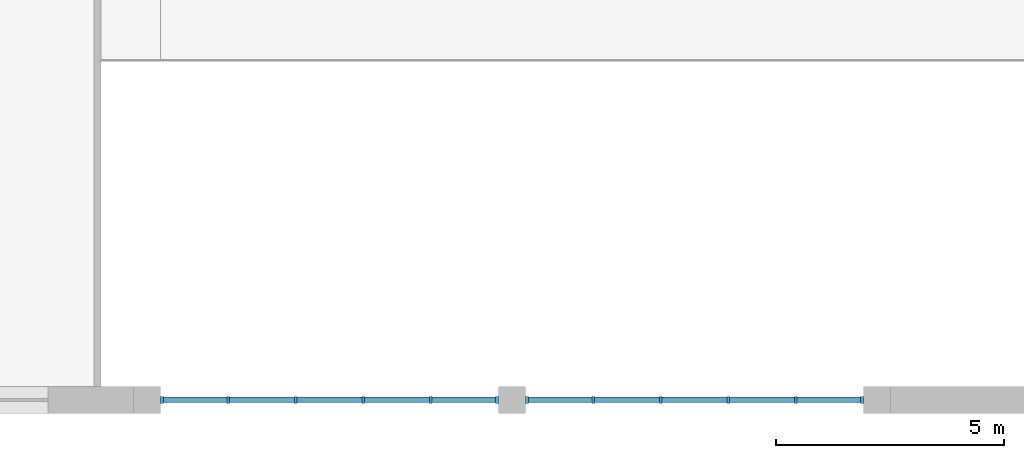
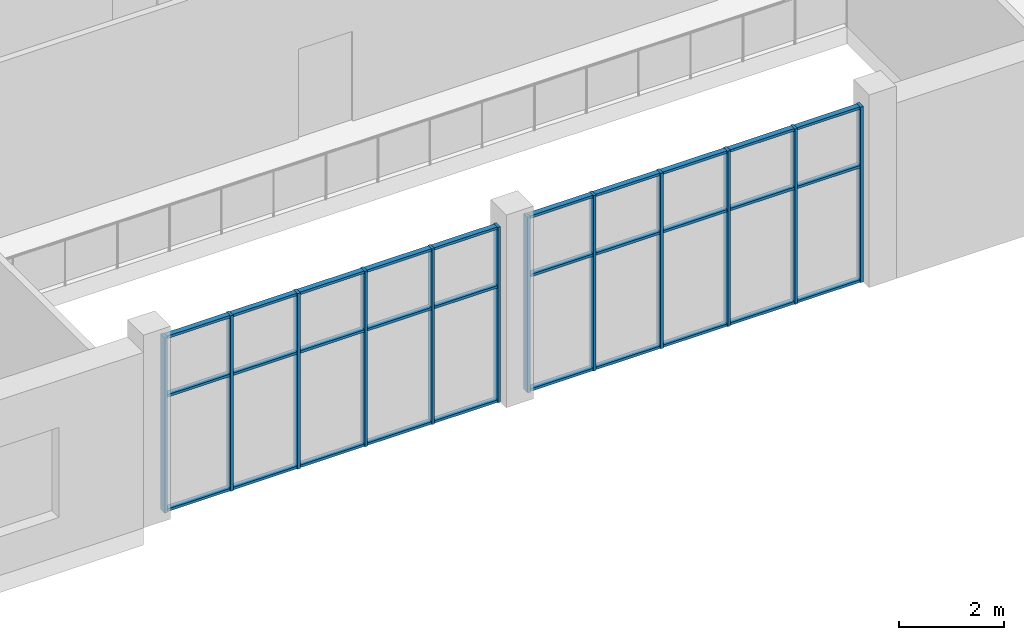
# One storey, part 2 of 27: 42 members, 2 elements without a shape of their own.
"""IFC4 building model written with IfcOpenShell, lengths in metres."""

import ifcopenshell
import ifcopenshell.guid

model = None  # the IFC model being written
_history = None  # IfcOwnerHistory: only IFC2X3 demands one
_inside = {}  # id of a spatial element -> (the spatial element, [elements in it])
_under = {}  # id of a project, library or spatial element -> (it, [spatial elements below it])
_declared = {}  # id of a project -> (the project, [libraries it declares])
_typed = {}  # id of a type object -> (the type object, [elements of that type])
_made_of = {}  # id of a material, layer set ... -> (it, [elements and type objects made of it])


def new_model(schema):
    """Start an empty IFC model of exactly this schema.

    Asked for "IFC4X3", IfcOpenShell would pick the latest addendum, in which some entities
    have other attributes; the version numbers below select the first issue.
    IFC2X3 requires an IfcOwnerHistory on every rooted entity: one is made here for all.
    """
    global model, _history
    if schema == "IFC4X3":
        model = ifcopenshell.file(schema_version=(4, 3, 0, 0))
    else:
        model = ifcopenshell.file(schema=schema)
    _inside.clear()
    _under.clear()
    _declared.clear()
    _typed.clear()
    _made_of.clear()
    _history = None
    if model.schema == "IFC2X3":
        org = make("IfcOrganization", Name="unknown")
        user = make(
            "IfcPersonAndOrganization",
            ThePerson=make("IfcPerson", FamilyName="unknown"),
            TheOrganization=org,
        )
        app = make(
            "IfcApplication",
            ApplicationDeveloper=org,
            Version="unknown",
            ApplicationFullName="unknown",
            ApplicationIdentifier="unknown",
        )
        _history = make(
            "IfcOwnerHistory",
            OwningUser=user,
            OwningApplication=app,
            ChangeAction="ADDED",
            CreationDate=0,
        )
    return model


def make(cls, **values):
    """One entity of the class cls with the attributes given. An attribute that is None is left unset."""
    return model.create_entity(
        cls, **{name: value for name, value in values.items() if value is not None}
    )


def rooted(cls, **values):
    """An entity with a GlobalId (a new one), such as an element, a storey or a relation."""
    return make(cls, GlobalId=ifcopenshell.guid.new(), OwnerHistory=_history, **values)


def si_unit(unit_type, name, prefix=None):
    """IfcSIUnit, for example si_unit("LENGTHUNIT", "METRE", prefix="MILLI")."""
    return make("IfcSIUnit", UnitType=unit_type, Prefix=prefix, Name=name)


def assignment(units):
    """IfcUnitAssignment: the units of a project."""
    return None if units is None else make("IfcUnitAssignment", Units=units)


def point(xyz):
    """IfcCartesianPoint."""
    return None if xyz is None else make("IfcCartesianPoint", Coordinates=xyz)


def direction(xyz):
    """IfcDirection."""
    return None if xyz is None else make("IfcDirection", DirectionRatios=xyz)


def frame(location, z_axis=None, x_axis=None):
    """IfcAxis2Placement3D, a coordinate frame: its origin and axes. An axis left out is left unset."""
    return make(
        "IfcAxis2Placement3D",
        Location=point(location),
        Axis=direction(z_axis),
        RefDirection=direction(x_axis),
    )


def frame_2d(location, x_axis=None):
    """IfcAxis2Placement2D, a coordinate frame in the plane: its origin and x axis."""
    return make(
        "IfcAxis2Placement2D", Location=point(location), RefDirection=direction(x_axis)
    )


def origin():
    """The frame at (0, 0, 0) with its axes left unset."""
    return frame((0.0, 0.0, 0.0))


def origin_2d():
    """The frame at (0, 0) in the plane with its x axis left unset."""
    return frame_2d((0.0, 0.0))


def place(relative_to, where):
    """IfcLocalPlacement: puts the frame where relative to a parent placement (None: the world)."""
    return make(
        "IfcLocalPlacement", PlacementRelTo=relative_to, RelativePlacement=where
    )


def context(
    kind, dimensions, precision=None, world=None, true_north=None, identifier=None
):
    """IfcGeometricRepresentationContext, for example the 3D "Model" context."""
    return make(
        "IfcGeometricRepresentationContext",
        ContextIdentifier=identifier,
        ContextType=kind,
        CoordinateSpaceDimension=dimensions,
        Precision=precision,
        WorldCoordinateSystem=world,
        TrueNorth=true_north,
    )


def subcontext(parent, identifier, kind, view, scale=None):
    """IfcGeometricRepresentationSubContext, for example "Body" below "Model"."""
    return make(
        "IfcGeometricRepresentationSubContext",
        ContextIdentifier=identifier,
        ContextType=kind,
        ParentContext=parent,
        TargetScale=scale,
        TargetView=view,
    )


def project(units=None, contexts=None):
    """IfcProject with its units and contexts."""
    return rooted(
        "IfcProject",
        Name="project",
        RepresentationContexts=contexts,
        UnitsInContext=assignment(units),
    )


def spatial(cls, under=None, at=None, **own):
    """A site, building, storey or space (cls), placed at a placement, below another one or the project."""
    s = rooted(cls, ObjectPlacement=at, **own)
    if under is not None:
        _under.setdefault(under.id(), (under, []))[1].append(s)
    return s


def profile(cls, at=None, kind="AREA", **sizes):
    """A parametric profile (cls). Its sizes go by their IFC names, for example OverallWidth=200.0."""
    return make(cls, ProfileType=kind, Position=at, **sizes)


def rectangle(**sizes):
    """IfcRectangleProfileDef."""
    return profile("IfcRectangleProfileDef", **sizes)


def extrude(swept, where, along, depth):
    """IfcExtrudedAreaSolid: the profile swept, set in the frame where, extruded along a direction by depth."""
    return make(
        "IfcExtrudedAreaSolid",
        SweptArea=swept,
        Position=where,
        ExtrudedDirection=direction(along),
        Depth=depth,
    )


def shape(context_of_items, identifier, shape_type, items):
    """IfcShapeRepresentation: the items that make up one representation, for example the "Body"."""
    return make(
        "IfcShapeRepresentation",
        ContextOfItems=context_of_items,
        RepresentationIdentifier=identifier,
        RepresentationType=shape_type,
        Items=items,
    )


def material(Name=None, Category=None):
    """IfcMaterial."""
    return make("IfcMaterial", Name=Name, Category=Category)


def material_profile(
    of_material, cross_section, Name=None, Category=None, Priority=None
):
    """IfcMaterialProfile: a cross section and its material."""
    return make(
        "IfcMaterialProfile",
        Name=Name,
        Material=of_material,
        Profile=cross_section,
        Priority=Priority,
        Category=Category,
    )


def profile_set(profiles, Name=None, composite=None):
    """IfcMaterialProfileSet."""
    return make(
        "IfcMaterialProfileSet",
        Name=Name,
        MaterialProfiles=profiles,
        CompositeProfile=composite,
    )


def made_of(thing, what):
    """Note that an element or type object is made of a material, layer set ...; save() writes the relation."""
    if what is not None:
        _made_of.setdefault(what.id(), (what, []))[1].append(thing)
    return thing


def type_object(cls, material=None, **own):
    """A type object (cls), such as IfcWallType, which elements share."""
    return made_of(rooted(cls, **own), material)


def element(
    cls,
    number,
    at=None,
    inside=None,
    cuts=None,
    type_object=None,
    material=None,
    context=None,
    identifier="Body",
    shape_type=None,
    held_by="IfcProductDefinitionShape",
    body=None,
    shapes=None,
    **own,
):
    """One element of the class cls, such as IfcWall. Its Tag is "e" and its number.

    at: its placement. inside: the storey or other place that contains it. cuts: it is an
    opening in that element (IfcRelVoidsElement). A single representation is given by context,
    identifier, shape_type and body (its items); several are given by shapes. held_by: the class
    of the entity that holds the representations. save() writes the other relations.
    """
    e = rooted(cls, Tag="e%d" % number, ObjectPlacement=at, **own)
    if body is not None:
        shapes = [shape(context, identifier, shape_type, body)]
    if shapes is not None:
        e.Representation = make(held_by, Representations=shapes)
    if inside is not None:
        _inside.setdefault(inside.id(), (inside, []))[1].append(e)
    if cuts is not None:
        rooted(
            "IfcRelVoidsElement", RelatingBuildingElement=cuts, RelatedOpeningElement=e
        )
    if type_object is not None:
        _typed.setdefault(type_object.id(), (type_object, []))[1].append(e)
    return made_of(e, material)


def aggregate(whole, parts):
    """IfcRelAggregates: a whole, such as a stair, and the parts it consists of."""
    return rooted("IfcRelAggregates", RelatingObject=whole, RelatedObjects=parts)


def save(model, path):
    """Write the relations noted so far, then the file.

    IfcRelAggregates (storeys below a building ...), IfcRelContainedInSpatialStructure (elements
    in a storey), IfcRelDefinesByType, IfcRelAssociatesMaterial and IfcRelDeclares: one each for
    every whole, place, type object, material and project.
    """
    for whole, parts in _under.values():
        aggregate(whole, parts)
    for where, things in _inside.values():
        rooted(
            "IfcRelContainedInSpatialStructure",
            RelatedElements=things,
            RelatingStructure=where,
        )
    for kind, things in _typed.values():
        rooted("IfcRelDefinesByType", RelatedObjects=things, RelatingType=kind)
    for what, things in _made_of.values():
        rooted("IfcRelAssociatesMaterial", RelatedObjects=things, RelatingMaterial=what)
    for by, libraries in _declared.values():
        rooted("IfcRelDeclares", RelatingContext=by, RelatedDefinitions=libraries)
    model.write(path)


model = new_model("IFC4")

# Units and contexts
model_context = context("Model", 3, precision=1e-05, world=origin(), true_north=direction((0.0, 1.0)))
body_context = subcontext(model_context, "Body", "Model", "MODEL_VIEW")
ifc_project = project(units=[si_unit("LENGTHUNIT", "METRE"), si_unit("AREAUNIT", "SQUARE_METRE"), si_unit("VOLUMEUNIT", "CUBIC_METRE"), si_unit("PLANEANGLEUNIT", "RADIAN"), si_unit("MASSUNIT", "GRAM", prefix="KILO")], contexts=[model_context])

# Site, building, storey
site_placement = place(None, origin())
site = spatial("IfcSite", under=ifc_project, at=site_placement, CompositionType="ELEMENT")
building_placement = place(site_placement, origin())
building = spatial("IfcBuilding", under=site, at=building_placement, Name="Dilmun Exchange Tower", CompositionType="ELEMENT")
storey_placement = place(building_placement, frame((0.0, 0.0, 4.5)))
storey = spatial("IfcBuildingStorey", under=building, at=storey_placement, Name="L01", CompositionType="ELEMENT", Elevation=4.5)

# Curtain wall, members
ifc_material = material(Name="Aluminium", Category="aluminium")
curtain_wall_type = type_object("IfcCurtainWallType", Name="School arcade glazing", PredefinedType="NOTDEFINED", material=ifc_material)
curtain_wall_1_placement = place(storey_placement, origin())
curtain_wall_1 = element("IfcCurtainWall", 1, at=curtain_wall_1_placement, inside=storey, type_object=curtain_wall_type, Name="School arcade glazing", PredefinedType="NOTDEFINED")
ifc_material_profile_1 = material_profile(ifc_material, rectangle(XDim=0.159912109375, YDim=0.06005859375, at=origin_2d()), Name="60 x 160")
ifc_profile_set_1 = profile_set([ifc_material_profile_1], Name="Aluminium")
member_type_1 = type_object("IfcMemberType", Name="School arcade glazing mullion 60 x 160", PredefinedType="MULLION", material=ifc_profile_set_1)
member_1_placement = place(storey_placement, frame((-20.74658203125, -59.85009765625, 0.0), z_axis=(0.0, 0.0, 1.0), x_axis=(0.0, -1.0, 0.0)))
member_1 = element("IfcMember", 2, at=member_1_placement, type_object=member_type_1, Name="SCH-CW1 mullion 1", PredefinedType="MULLION", context=body_context, shape_type="SweptSolid", body=[
    extrude(rectangle(XDim=0.159912109375, YDim=0.06005859375, at=origin_2d()), origin(), (0.0, 0.0, 1.0), 4.10009765625),
])
member_2_placement = place(storey_placement, frame((-22.199951171875, -59.85009765625, 0.0), z_axis=(0.0, 0.0, 1.0), x_axis=(0.0, -1.0, 0.0)))
member_2 = element("IfcMember", 3, at=member_2_placement, type_object=member_type_1, Name="SCH-CW1 mullion 2", PredefinedType="MULLION", context=body_context, shape_type="SweptSolid", body=[
    extrude(rectangle(XDim=0.159912109375, YDim=0.06005859375, at=origin_2d()), origin(), (0.0, 0.0, 1.0), 4.10009765625),
])
member_3_placement = place(storey_placement, frame((-23.683349609375, -59.85009765625, 0.0), z_axis=(0.0, 0.0, 1.0), x_axis=(0.0, -1.0, 0.0)))
member_3 = element("IfcMember", 4, at=member_3_placement, type_object=member_type_1, Name="SCH-CW1 mullion 3", PredefinedType="MULLION", context=body_context, shape_type="SweptSolid", body=[
    extrude(rectangle(XDim=0.159912109375, YDim=0.06005859375, at=origin_2d()), origin(), (0.0, 0.0, 1.0), 4.10009765625),
])
member_4_placement = place(storey_placement, frame((-25.166748046875, -59.85009765625, 0.0), z_axis=(0.0, 0.0, 1.0), x_axis=(0.0, -1.0, 0.0)))
member_4 = element("IfcMember", 5, at=member_4_placement, type_object=member_type_1, Name="SCH-CW1 mullion 4", PredefinedType="MULLION", context=body_context, shape_type="SweptSolid", body=[
    extrude(rectangle(XDim=0.159912109375, YDim=0.06005859375, at=origin_2d()), origin(), (0.0, 0.0, 1.0), 4.10009765625),
])
member_5_placement = place(storey_placement, frame((-26.64990234375, -59.85009765625, 0.0), z_axis=(0.0, 0.0, 1.0), x_axis=(0.0, -1.0, 0.0)))
member_5 = element("IfcMember", 6, at=member_5_placement, type_object=member_type_1, Name="SCH-CW1 mullion 5", PredefinedType="MULLION", context=body_context, shape_type="SweptSolid", body=[
    extrude(rectangle(XDim=0.159912109375, YDim=0.06005859375, at=origin_2d()), origin(), (0.0, 0.0, 1.0), 4.10009765625),
])
member_6_placement = place(storey_placement, frame((-28.103271484375, -59.85009765625, 0.0), z_axis=(0.0, 0.0, 1.0), x_axis=(0.0, -1.0, 0.0)))
member_6 = element("IfcMember", 7, at=member_6_placement, type_object=member_type_1, Name="SCH-CW1 mullion 6", PredefinedType="MULLION", context=body_context, shape_type="SweptSolid", body=[
    extrude(rectangle(XDim=0.159912109375, YDim=0.06005859375, at=origin_2d()), origin(), (0.0, 0.0, 1.0), 4.10009765625),
])

curtain_wall_2_placement = place(storey_placement, origin())
curtain_wall_2 = element("IfcCurtainWall", 8, at=curtain_wall_2_placement, inside=storey, type_object=curtain_wall_type, Name="School arcade glazing", PredefinedType="NOTDEFINED")
member_7_placement = place(storey_placement, frame((-28.76318359375, -59.85009765625, 0.0), z_axis=(0.0, 0.0, 1.0), x_axis=(0.0, -1.0, 0.0)))
member_7 = element("IfcMember", 9, at=member_7_placement, type_object=member_type_1, Name="SCH-CW1 mullion 1", PredefinedType="MULLION", context=body_context, shape_type="SweptSolid", body=[
    extrude(rectangle(XDim=0.159912109375, YDim=0.06005859375, at=origin_2d()), origin(), (0.0, 0.0, 1.0), 4.10009765625),
])
member_8_placement = place(storey_placement, frame((-30.216552734375, -59.85009765625, 0.0), z_axis=(0.0, 0.0, 1.0), x_axis=(0.0, -1.0, 0.0)))
member_8 = element("IfcMember", 10, at=member_8_placement, type_object=member_type_1, Name="SCH-CW1 mullion 2", PredefinedType="MULLION", context=body_context, shape_type="SweptSolid", body=[
    extrude(rectangle(XDim=0.159912109375, YDim=0.06005859375, at=origin_2d()), origin(), (0.0, 0.0, 1.0), 4.10009765625),
])
member_9_placement = place(storey_placement, frame((-31.699951171875, -59.85009765625, 0.0), z_axis=(0.0, 0.0, 1.0), x_axis=(0.0, -1.0, 0.0)))
member_9 = element("IfcMember", 11, at=member_9_placement, type_object=member_type_1, Name="SCH-CW1 mullion 3", PredefinedType="MULLION", context=body_context, shape_type="SweptSolid", body=[
    extrude(rectangle(XDim=0.159912109375, YDim=0.06005859375, at=origin_2d()), origin(), (0.0, 0.0, 1.0), 4.10009765625),
])
member_10_placement = place(storey_placement, frame((-33.183349609375, -59.85009765625, 0.0), z_axis=(0.0, 0.0, 1.0), x_axis=(0.0, -1.0, 0.0)))
member_10 = element("IfcMember", 12, at=member_10_placement, type_object=member_type_1, Name="SCH-CW1 mullion 4", PredefinedType="MULLION", context=body_context, shape_type="SweptSolid", body=[
    extrude(rectangle(XDim=0.159912109375, YDim=0.06005859375, at=origin_2d()), origin(), (0.0, 0.0, 1.0), 4.10009765625),
])
member_11_placement = place(storey_placement, frame((-34.666748046875, -59.85009765625, 0.0), z_axis=(0.0, 0.0, 1.0), x_axis=(0.0, -1.0, 0.0)))
member_11 = element("IfcMember", 13, at=member_11_placement, type_object=member_type_1, Name="SCH-CW1 mullion 5", PredefinedType="MULLION", context=body_context, shape_type="SweptSolid", body=[
    extrude(rectangle(XDim=0.159912109375, YDim=0.06005859375, at=origin_2d()), origin(), (0.0, 0.0, 1.0), 4.10009765625),
])
member_12_placement = place(storey_placement, frame((-36.1201171875, -59.85009765625, 0.0), z_axis=(0.0, 0.0, 1.0), x_axis=(0.0, -1.0, 0.0)))
member_12 = element("IfcMember", 14, at=member_12_placement, type_object=member_type_1, Name="SCH-CW1 mullion 6", PredefinedType="MULLION", context=body_context, shape_type="SweptSolid", body=[
    extrude(rectangle(XDim=0.159912109375, YDim=0.06005859375, at=origin_2d()), origin(), (0.0, 0.0, 1.0), 4.10009765625),
])

# Member
ifc_material_profile_2 = material_profile(ifc_material, rectangle(XDim=0.1201171875, YDim=0.06005859375, at=origin_2d()), Name="60 x 120")
ifc_profile_set_2 = profile_set([ifc_material_profile_2], Name="Aluminium")
member_type_2 = type_object("IfcMemberType", Name="School arcade glazing transom 60 x 120", PredefinedType="USERDEFINED", material=ifc_profile_set_2)
member_13_placement = place(storey_placement, frame((-20.776611328125, -59.85009765625, 0.030029296875), z_axis=(-1.0, 0.0, 0.0), x_axis=(0.0, -1.0, 0.0)))
member_13 = element("IfcMember", 15, at=member_13_placement, type_object=member_type_2, Name="SCH-CW1 transom 1.1", ObjectType="TRANSOM", PredefinedType="USERDEFINED", context=body_context, shape_type="SweptSolid", body=[
    extrude(rectangle(XDim=0.1201171875, YDim=0.06005859375, at=origin_2d()), origin(), (0.0, 0.0, 1.0), 1.393310546875),
])

member_14_placement = place(storey_placement, frame((-20.776611328125, -59.85009765625, 2.699951171875), z_axis=(-1.0, 0.0, 0.0), x_axis=(0.0, -1.0, 0.0)))
member_14 = element("IfcMember", 16, at=member_14_placement, type_object=member_type_2, Name="SCH-CW1 transom 1.2", ObjectType="TRANSOM", PredefinedType="USERDEFINED", context=body_context, shape_type="SweptSolid", body=[
    extrude(rectangle(XDim=0.1201171875, YDim=0.06005859375, at=origin_2d()), origin(), (0.0, 0.0, 1.0), 1.393310546875),
])

member_15_placement = place(storey_placement, frame((-20.776611328125, -59.85009765625, 4.070068359375), z_axis=(-1.0, 0.0, 0.0), x_axis=(0.0, -1.0, 0.0)))
member_15 = element("IfcMember", 17, at=member_15_placement, type_object=member_type_2, Name="SCH-CW1 transom 1.3", ObjectType="TRANSOM", PredefinedType="USERDEFINED", context=body_context, shape_type="SweptSolid", body=[
    extrude(rectangle(XDim=0.1201171875, YDim=0.06005859375, at=origin_2d()), origin(), (0.0, 0.0, 1.0), 1.393310546875),
])

member_16_placement = place(storey_placement, frame((-22.22998046875, -59.85009765625, 0.030029296875), z_axis=(-1.0, 0.0, 0.0), x_axis=(0.0, -1.0, 0.0)))
member_16 = element("IfcMember", 18, at=member_16_placement, type_object=member_type_2, Name="SCH-CW1 transom 2.1", ObjectType="TRANSOM", PredefinedType="USERDEFINED", context=body_context, shape_type="SweptSolid", body=[
    extrude(rectangle(XDim=0.1201171875, YDim=0.06005859375, at=origin_2d()), origin(), (0.0, 0.0, 1.0), 1.42333984375),
])

member_17_placement = place(storey_placement, frame((-22.22998046875, -59.85009765625, 2.699951171875), z_axis=(-1.0, 0.0, 0.0), x_axis=(0.0, -1.0, 0.0)))
member_17 = element("IfcMember", 19, at=member_17_placement, type_object=member_type_2, Name="SCH-CW1 transom 2.2", ObjectType="TRANSOM", PredefinedType="USERDEFINED", context=body_context, shape_type="SweptSolid", body=[
    extrude(rectangle(XDim=0.1201171875, YDim=0.06005859375, at=origin_2d()), origin(), (0.0, 0.0, 1.0), 1.42333984375),
])

member_18_placement = place(storey_placement, frame((-22.22998046875, -59.85009765625, 4.070068359375), z_axis=(-1.0, 0.0, 0.0), x_axis=(0.0, -1.0, 0.0)))
member_18 = element("IfcMember", 20, at=member_18_placement, type_object=member_type_2, Name="SCH-CW1 transom 2.3", ObjectType="TRANSOM", PredefinedType="USERDEFINED", context=body_context, shape_type="SweptSolid", body=[
    extrude(rectangle(XDim=0.1201171875, YDim=0.06005859375, at=origin_2d()), origin(), (0.0, 0.0, 1.0), 1.42333984375),
])

member_19_placement = place(storey_placement, frame((-23.71337890625, -59.85009765625, 0.030029296875), z_axis=(-1.0, 0.0, 0.0), x_axis=(0.0, -1.0, 0.0)))
member_19 = element("IfcMember", 21, at=member_19_placement, type_object=member_type_2, Name="SCH-CW1 transom 3.1", ObjectType="TRANSOM", PredefinedType="USERDEFINED", context=body_context, shape_type="SweptSolid", body=[
    extrude(rectangle(XDim=0.1201171875, YDim=0.06005859375, at=origin_2d()), origin(), (0.0, 0.0, 1.0), 1.42333984375),
])

member_20_placement = place(storey_placement, frame((-23.71337890625, -59.85009765625, 2.699951171875), z_axis=(-1.0, 0.0, 0.0), x_axis=(0.0, -1.0, 0.0)))
member_20 = element("IfcMember", 22, at=member_20_placement, type_object=member_type_2, Name="SCH-CW1 transom 3.2", ObjectType="TRANSOM", PredefinedType="USERDEFINED", context=body_context, shape_type="SweptSolid", body=[
    extrude(rectangle(XDim=0.1201171875, YDim=0.06005859375, at=origin_2d()), origin(), (0.0, 0.0, 1.0), 1.42333984375),
])

member_21_placement = place(storey_placement, frame((-23.71337890625, -59.85009765625, 4.070068359375), z_axis=(-1.0, 0.0, 0.0), x_axis=(0.0, -1.0, 0.0)))
member_21 = element("IfcMember", 23, at=member_21_placement, type_object=member_type_2, Name="SCH-CW1 transom 3.3", ObjectType="TRANSOM", PredefinedType="USERDEFINED", context=body_context, shape_type="SweptSolid", body=[
    extrude(rectangle(XDim=0.1201171875, YDim=0.06005859375, at=origin_2d()), origin(), (0.0, 0.0, 1.0), 1.42333984375),
])

member_22_placement = place(storey_placement, frame((-25.19677734375, -59.85009765625, 0.030029296875), z_axis=(-1.0, 0.0, 0.0), x_axis=(0.0, -1.0, 0.0)))
member_22 = element("IfcMember", 24, at=member_22_placement, type_object=member_type_2, Name="SCH-CW1 transom 4.1", ObjectType="TRANSOM", PredefinedType="USERDEFINED", context=body_context, shape_type="SweptSolid", body=[
    extrude(rectangle(XDim=0.1201171875, YDim=0.06005859375, at=origin_2d()), origin(), (0.0, 0.0, 1.0), 1.423095703125),
])

member_23_placement = place(storey_placement, frame((-25.19677734375, -59.85009765625, 2.699951171875), z_axis=(-1.0, 0.0, 0.0), x_axis=(0.0, -1.0, 0.0)))
member_23 = element("IfcMember", 25, at=member_23_placement, type_object=member_type_2, Name="SCH-CW1 transom 4.2", ObjectType="TRANSOM", PredefinedType="USERDEFINED", context=body_context, shape_type="SweptSolid", body=[
    extrude(rectangle(XDim=0.1201171875, YDim=0.06005859375, at=origin_2d()), origin(), (0.0, 0.0, 1.0), 1.423095703125),
])

member_24_placement = place(storey_placement, frame((-25.19677734375, -59.85009765625, 4.070068359375), z_axis=(-1.0, 0.0, 0.0), x_axis=(0.0, -1.0, 0.0)))
member_24 = element("IfcMember", 26, at=member_24_placement, type_object=member_type_2, Name="SCH-CW1 transom 4.3", ObjectType="TRANSOM", PredefinedType="USERDEFINED", context=body_context, shape_type="SweptSolid", body=[
    extrude(rectangle(XDim=0.1201171875, YDim=0.06005859375, at=origin_2d()), origin(), (0.0, 0.0, 1.0), 1.423095703125),
])

member_25_placement = place(storey_placement, frame((-26.679931640625, -59.85009765625, 0.030029296875), z_axis=(-1.0, 0.0, 0.0), x_axis=(0.0, -1.0, 0.0)))
member_25 = element("IfcMember", 27, at=member_25_placement, type_object=member_type_2, Name="SCH-CW1 transom 5.1", ObjectType="TRANSOM", PredefinedType="USERDEFINED", context=body_context, shape_type="SweptSolid", body=[
    extrude(rectangle(XDim=0.1201171875, YDim=0.06005859375, at=origin_2d()), origin(), (0.0, 0.0, 1.0), 1.393310546875),
])

member_26_placement = place(storey_placement, frame((-26.679931640625, -59.85009765625, 2.699951171875), z_axis=(-1.0, 0.0, 0.0), x_axis=(0.0, -1.0, 0.0)))
member_26 = element("IfcMember", 28, at=member_26_placement, type_object=member_type_2, Name="SCH-CW1 transom 5.2", ObjectType="TRANSOM", PredefinedType="USERDEFINED", context=body_context, shape_type="SweptSolid", body=[
    extrude(rectangle(XDim=0.1201171875, YDim=0.06005859375, at=origin_2d()), origin(), (0.0, 0.0, 1.0), 1.393310546875),
])

member_27_placement = place(storey_placement, frame((-26.679931640625, -59.85009765625, 4.070068359375), z_axis=(-1.0, 0.0, 0.0), x_axis=(0.0, -1.0, 0.0)))
member_27 = element("IfcMember", 29, at=member_27_placement, type_object=member_type_2, Name="SCH-CW1 transom 5.3", ObjectType="TRANSOM", PredefinedType="USERDEFINED", context=body_context, shape_type="SweptSolid", body=[
    extrude(rectangle(XDim=0.1201171875, YDim=0.06005859375, at=origin_2d()), origin(), (0.0, 0.0, 1.0), 1.393310546875),
])

aggregate(curtain_wall_1, [member_1, member_2, member_3, member_4, member_5, member_6, member_13, member_14, member_15, member_16, member_17, member_18, member_19, member_20, member_21, member_22, member_23, member_24, member_25, member_26, member_27])

member_28_placement = place(storey_placement, frame((-28.793212890625, -59.85009765625, 0.030029296875), z_axis=(-1.0, 0.0, 0.0), x_axis=(0.0, -1.0, 0.0)))
member_28 = element("IfcMember", 30, at=member_28_placement, type_object=member_type_2, Name="SCH-CW1 transom 1.1", ObjectType="TRANSOM", PredefinedType="USERDEFINED", context=body_context, shape_type="SweptSolid", body=[
    extrude(rectangle(XDim=0.1201171875, YDim=0.06005859375, at=origin_2d()), origin(), (0.0, 0.0, 1.0), 1.393310546875),
])

member_29_placement = place(storey_placement, frame((-28.793212890625, -59.85009765625, 2.699951171875), z_axis=(-1.0, 0.0, 0.0), x_axis=(0.0, -1.0, 0.0)))
member_29 = element("IfcMember", 31, at=member_29_placement, type_object=member_type_2, Name="SCH-CW1 transom 1.2", ObjectType="TRANSOM", PredefinedType="USERDEFINED", context=body_context, shape_type="SweptSolid", body=[
    extrude(rectangle(XDim=0.1201171875, YDim=0.06005859375, at=origin_2d()), origin(), (0.0, 0.0, 1.0), 1.393310546875),
])

member_30_placement = place(storey_placement, frame((-28.793212890625, -59.85009765625, 4.070068359375), z_axis=(-1.0, 0.0, 0.0), x_axis=(0.0, -1.0, 0.0)))
member_30 = element("IfcMember", 32, at=member_30_placement, type_object=member_type_2, Name="SCH-CW1 transom 1.3", ObjectType="TRANSOM", PredefinedType="USERDEFINED", context=body_context, shape_type="SweptSolid", body=[
    extrude(rectangle(XDim=0.1201171875, YDim=0.06005859375, at=origin_2d()), origin(), (0.0, 0.0, 1.0), 1.393310546875),
])

member_31_placement = place(storey_placement, frame((-30.24658203125, -59.85009765625, 0.030029296875), z_axis=(-1.0, 0.0, 0.0), x_axis=(0.0, -1.0, 0.0)))
member_31 = element("IfcMember", 33, at=member_31_placement, type_object=member_type_2, Name="SCH-CW1 transom 2.1", ObjectType="TRANSOM", PredefinedType="USERDEFINED", context=body_context, shape_type="SweptSolid", body=[
    extrude(rectangle(XDim=0.1201171875, YDim=0.06005859375, at=origin_2d()), origin(), (0.0, 0.0, 1.0), 1.42333984375),
])

member_32_placement = place(storey_placement, frame((-30.24658203125, -59.85009765625, 2.699951171875), z_axis=(-1.0, 0.0, 0.0), x_axis=(0.0, -1.0, 0.0)))
member_32 = element("IfcMember", 34, at=member_32_placement, type_object=member_type_2, Name="SCH-CW1 transom 2.2", ObjectType="TRANSOM", PredefinedType="USERDEFINED", context=body_context, shape_type="SweptSolid", body=[
    extrude(rectangle(XDim=0.1201171875, YDim=0.06005859375, at=origin_2d()), origin(), (0.0, 0.0, 1.0), 1.42333984375),
])

member_33_placement = place(storey_placement, frame((-30.24658203125, -59.85009765625, 4.070068359375), z_axis=(-1.0, 0.0, 0.0), x_axis=(0.0, -1.0, 0.0)))
member_33 = element("IfcMember", 35, at=member_33_placement, type_object=member_type_2, Name="SCH-CW1 transom 2.3", ObjectType="TRANSOM", PredefinedType="USERDEFINED", context=body_context, shape_type="SweptSolid", body=[
    extrude(rectangle(XDim=0.1201171875, YDim=0.06005859375, at=origin_2d()), origin(), (0.0, 0.0, 1.0), 1.42333984375),
])

member_34_placement = place(storey_placement, frame((-31.72998046875, -59.85009765625, 0.030029296875), z_axis=(-1.0, 0.0, 0.0), x_axis=(0.0, -1.0, 0.0)))
member_34 = element("IfcMember", 36, at=member_34_placement, type_object=member_type_2, Name="SCH-CW1 transom 3.1", ObjectType="TRANSOM", PredefinedType="USERDEFINED", context=body_context, shape_type="SweptSolid", body=[
    extrude(rectangle(XDim=0.1201171875, YDim=0.06005859375, at=origin_2d()), origin(), (0.0, 0.0, 1.0), 1.42333984375),
])

member_35_placement = place(storey_placement, frame((-31.72998046875, -59.85009765625, 2.699951171875), z_axis=(-1.0, 0.0, 0.0), x_axis=(0.0, -1.0, 0.0)))
member_35 = element("IfcMember", 37, at=member_35_placement, type_object=member_type_2, Name="SCH-CW1 transom 3.2", ObjectType="TRANSOM", PredefinedType="USERDEFINED", context=body_context, shape_type="SweptSolid", body=[
    extrude(rectangle(XDim=0.1201171875, YDim=0.06005859375, at=origin_2d()), origin(), (0.0, 0.0, 1.0), 1.42333984375),
])

member_36_placement = place(storey_placement, frame((-31.72998046875, -59.85009765625, 4.070068359375), z_axis=(-1.0, 0.0, 0.0), x_axis=(0.0, -1.0, 0.0)))
member_36 = element("IfcMember", 38, at=member_36_placement, type_object=member_type_2, Name="SCH-CW1 transom 3.3", ObjectType="TRANSOM", PredefinedType="USERDEFINED", context=body_context, shape_type="SweptSolid", body=[
    extrude(rectangle(XDim=0.1201171875, YDim=0.06005859375, at=origin_2d()), origin(), (0.0, 0.0, 1.0), 1.42333984375),
])

member_37_placement = place(storey_placement, frame((-33.21337890625, -59.85009765625, 0.030029296875), z_axis=(-1.0, 0.0, 0.0), x_axis=(0.0, -1.0, 0.0)))
member_37 = element("IfcMember", 39, at=member_37_placement, type_object=member_type_2, Name="SCH-CW1 transom 4.1", ObjectType="TRANSOM", PredefinedType="USERDEFINED", context=body_context, shape_type="SweptSolid", body=[
    extrude(rectangle(XDim=0.1201171875, YDim=0.06005859375, at=origin_2d()), origin(), (0.0, 0.0, 1.0), 1.42333984375),
])

member_38_placement = place(storey_placement, frame((-33.21337890625, -59.85009765625, 2.699951171875), z_axis=(-1.0, 0.0, 0.0), x_axis=(0.0, -1.0, 0.0)))
member_38 = element("IfcMember", 40, at=member_38_placement, type_object=member_type_2, Name="SCH-CW1 transom 4.2", ObjectType="TRANSOM", PredefinedType="USERDEFINED", context=body_context, shape_type="SweptSolid", body=[
    extrude(rectangle(XDim=0.1201171875, YDim=0.06005859375, at=origin_2d()), origin(), (0.0, 0.0, 1.0), 1.42333984375),
])

member_39_placement = place(storey_placement, frame((-33.21337890625, -59.85009765625, 4.070068359375), z_axis=(-1.0, 0.0, 0.0), x_axis=(0.0, -1.0, 0.0)))
member_39 = element("IfcMember", 41, at=member_39_placement, type_object=member_type_2, Name="SCH-CW1 transom 4.3", ObjectType="TRANSOM", PredefinedType="USERDEFINED", context=body_context, shape_type="SweptSolid", body=[
    extrude(rectangle(XDim=0.1201171875, YDim=0.06005859375, at=origin_2d()), origin(), (0.0, 0.0, 1.0), 1.42333984375),
])

member_40_placement = place(storey_placement, frame((-34.69677734375, -59.85009765625, 0.030029296875), z_axis=(-1.0, 0.0, 0.0), x_axis=(0.0, -1.0, 0.0)))
member_40 = element("IfcMember", 42, at=member_40_placement, type_object=member_type_2, Name="SCH-CW1 transom 5.1", ObjectType="TRANSOM", PredefinedType="USERDEFINED", context=body_context, shape_type="SweptSolid", body=[
    extrude(rectangle(XDim=0.1201171875, YDim=0.06005859375, at=origin_2d()), origin(), (0.0, 0.0, 1.0), 1.393310546875),
])

member_41_placement = place(storey_placement, frame((-34.69677734375, -59.85009765625, 2.699951171875), z_axis=(-1.0, 0.0, 0.0), x_axis=(0.0, -1.0, 0.0)))
member_41 = element("IfcMember", 43, at=member_41_placement, type_object=member_type_2, Name="SCH-CW1 transom 5.2", ObjectType="TRANSOM", PredefinedType="USERDEFINED", context=body_context, shape_type="SweptSolid", body=[
    extrude(rectangle(XDim=0.1201171875, YDim=0.06005859375, at=origin_2d()), origin(), (0.0, 0.0, 1.0), 1.393310546875),
])

member_42_placement = place(storey_placement, frame((-34.69677734375, -59.85009765625, 4.070068359375), z_axis=(-1.0, 0.0, 0.0), x_axis=(0.0, -1.0, 0.0)))
member_42 = element("IfcMember", 44, at=member_42_placement, type_object=member_type_2, Name="SCH-CW1 transom 5.3", ObjectType="TRANSOM", PredefinedType="USERDEFINED", context=body_context, shape_type="SweptSolid", body=[
    extrude(rectangle(XDim=0.1201171875, YDim=0.06005859375, at=origin_2d()), origin(), (0.0, 0.0, 1.0), 1.393310546875),
])

aggregate(curtain_wall_2, [member_7, member_8, member_9, member_10, member_11, member_12, member_28, member_29, member_30, member_31, member_32, member_33, member_34, member_35, member_36, member_37, member_38, member_39, member_40, member_41, member_42])

save(model, "model.ifc")
